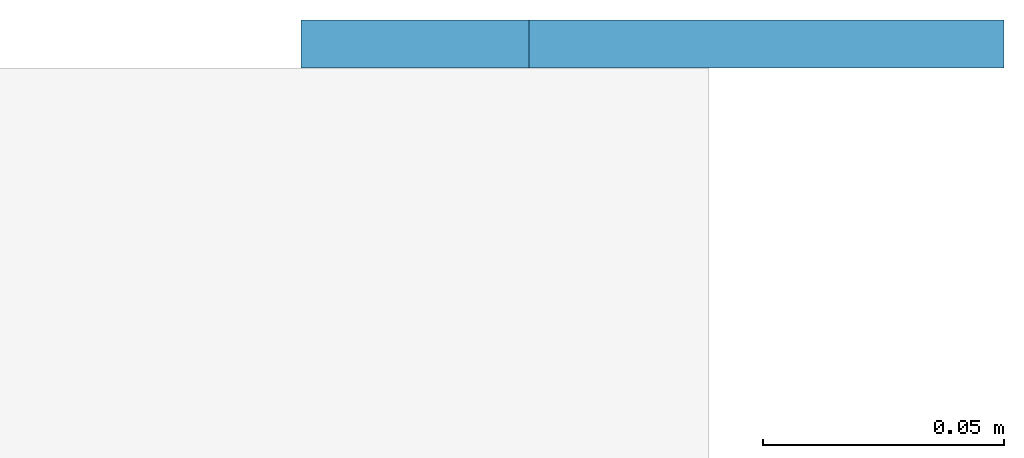
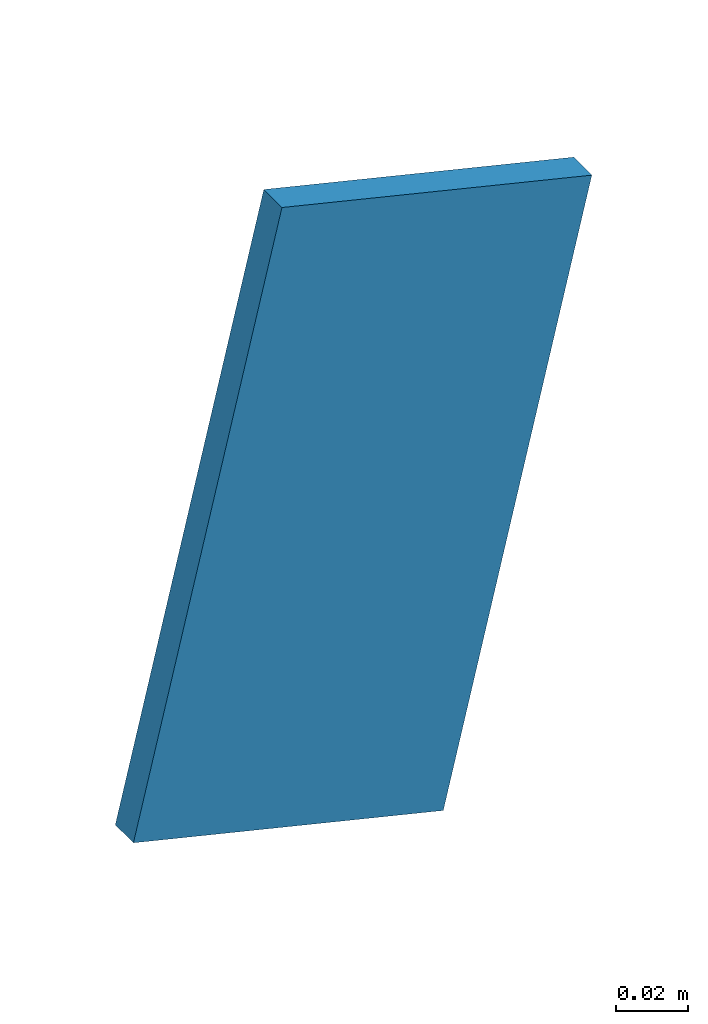
# One storey, part 12 of 13: 1 discrete accessory.
"""IFC4 building model written with IfcOpenShell, lengths in metres."""

from ifc_helpers import new_model, si_unit, direction, frame, origin, origin_2d, place, context, subcontext, project, spatial, rectangle, extrude, material, material_profile, profile_set, type_object, element, save


model = new_model("IFC4")

# Units and contexts
model_context = context("Model", 3, precision=1e-05, world=origin(), true_north=direction((0.0, 1.0)))
body_context = subcontext(model_context, "Body", "Model", "MODEL_VIEW")
ifc_project = project(units=[si_unit("LENGTHUNIT", "METRE"), si_unit("AREAUNIT", "SQUARE_METRE"), si_unit("VOLUMEUNIT", "CUBIC_METRE"), si_unit("PLANEANGLEUNIT", "RADIAN"), si_unit("MASSUNIT", "GRAM", prefix="KILO")], contexts=[model_context])

# Site, building, storey
site_placement = place(None, origin())
site = spatial("IfcSite", under=ifc_project, at=site_placement, CompositionType="ELEMENT")
building_placement = place(site_placement, origin())
building = spatial("IfcBuilding", under=site, at=building_placement, Name="Verrick Yard Athletic Hall", CompositionType="ELEMENT")
storey_placement = place(building_placement, frame((0.0, 0.0, 21.5)))
storey = spatial("IfcBuildingStorey", under=building, at=storey_placement, Name="Upper Roof", CompositionType="ELEMENT", Elevation=21.5)

# Discrete accessory
ifc_material = material(Name="Structural steel 350W (CSA G40.21)", Category="steel")
ifc_material_profile = material_profile(ifc_material, rectangle(XDim=0.1015625, YDim=0.203125, at=origin_2d()), Name="STR End cap plate 203x102x9.5")
ifc_profile_set = profile_set([ifc_material_profile], Name="Structural steel 350W (CSA G40.21)")
discrete_accessory_type = type_object("IfcDiscreteAccessoryType", Name="STR End cap plate 203x102x9.5", PredefinedType="BRACKET", material=ifc_profile_set)
discrete_accessory_placement = place(storey_placement, frame((156.70703125, 108.0, 0.151611328125), z_axis=(0.0, 1.0, 0.0), x_axis=(-0.972458956474, 0.0, 0.23307418985)))
element("IfcDiscreteAccessory", 1, at=discrete_accessory_placement, inside=storey, type_object=discrete_accessory_type, Name="End cap HB-PU-A-5-13 B", PredefinedType="BRACKET", context=body_context, shape_type="SweptSolid", body=[
    extrude(rectangle(XDim=0.1015625, YDim=0.203125, at=origin_2d()), origin(), (0.0, 0.0, 1.0), 0.010009765625),
])

save(model, "model.ifc")
